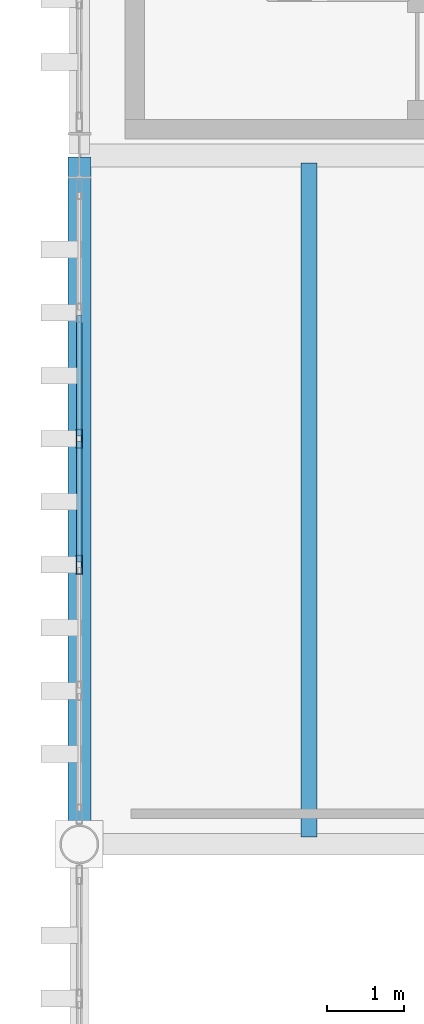
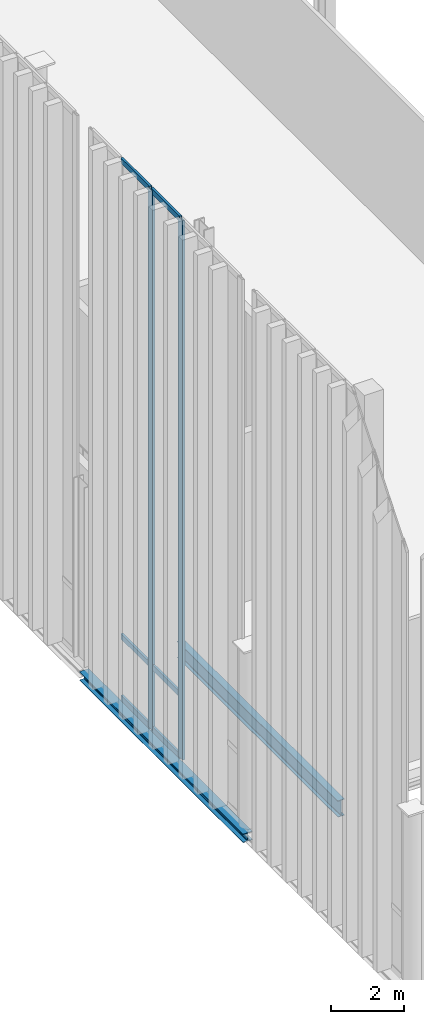
# One storey, part 30 of 237: 8 members, 2 beams, 1 element without a shape of its own.
"""IFC4 building model written with IfcOpenShell, lengths in metres."""

from ifc_helpers import new_model, si_unit, direction, frame, origin, origin_2d, place, context, subcontext, project, spatial, hollow_rectangle, i_section, extrude, material, layer, layer_set, material_profile, profile_set, type_object, element, aggregate, save


model = new_model("IFC4")

# Units and contexts
model_context = context("Model", 3, precision=1e-05, world=origin(), true_north=direction((0.0, 1.0)))
body_context = subcontext(model_context, "Body", "Model", "MODEL_VIEW")
ifc_project = project(units=[si_unit("LENGTHUNIT", "METRE"), si_unit("AREAUNIT", "SQUARE_METRE"), si_unit("VOLUMEUNIT", "CUBIC_METRE"), si_unit("PLANEANGLEUNIT", "RADIAN"), si_unit("MASSUNIT", "GRAM", prefix="KILO")], contexts=[model_context])

# Site, building, storey
site_placement = place(None, origin())
site = spatial("IfcSite", under=ifc_project, at=site_placement, CompositionType="ELEMENT")
building_placement = place(site_placement, origin())
building = spatial("IfcBuilding", under=site, at=building_placement, Name="Barlavento Convention Centre", CompositionType="ELEMENT")
storey_placement = place(building_placement, frame((0.0, 0.0, 12.0)))
storey = spatial("IfcBuildingStorey", under=building, at=storey_placement, Name="L02", CompositionType="ELEMENT", Elevation=12.0)

# Curtain wall, members
ifc_material_1 = material(Name="Powder-coated aluminium and Low-E glass", Category="aluminium")
ifc_layer = layer(ifc_material_1, 0.18994140625)
ifc_layer_set = layer_set([ifc_layer], Name="ARC-CW-CONG-L02")
curtain_wall_type = type_object("IfcCurtainWallType", Name="ARC-CW-CONG-L02", PredefinedType="NOTDEFINED", material=ifc_layer_set)
curtain_wall_placement = place(storey_placement, origin())
curtain_wall = element("IfcCurtainWall", 1, at=curtain_wall_placement, inside=storey, type_object=curtain_wall_type, Name="L02 unitised curtain wall CW02", PredefinedType="NOTDEFINED")
ifc_material_2 = material(Name="Powder-coated aluminium", Category="aluminium")
ifc_material_profile_1 = material_profile(ifc_material_2, hollow_rectangle(XDim=0.074951171875, YDim=0.25, WallThickness=0.006103515625, at=origin_2d()), Name="AL-MULL 75x250x6")
ifc_profile_set_1 = profile_set([ifc_material_profile_1], Name="Powder-coated aluminium")
member_type_1 = type_object("IfcMemberType", Name="ARC-CWM-75X250", PredefinedType="MULLION", material=ifc_profile_set_1)
member_1_placement = place(storey_placement, frame((0.0, 12.6533203125, 0.0), z_axis=(0.0, 0.0, 1.0), x_axis=(-1.0, 0.0, 0.0)))
member_1 = element("IfcMember", 2, at=member_1_placement, type_object=member_type_1, Name="CW02 mullion 3", PredefinedType="MULLION", context=body_context, shape_type="SweptSolid", body=[
    extrude(hollow_rectangle(XDim=0.074951171875, YDim=0.25, WallThickness=0.006103515625, at=origin_2d()), origin(), (0.0, 0.0, 1.0), 18.037109375),
])
member_2_placement = place(storey_placement, frame((0.0, 14.300537109375, 0.0), z_axis=(0.0, 0.0, 1.0), x_axis=(-1.0, 0.0, 0.0)))
member_2 = element("IfcMember", 3, at=member_2_placement, type_object=member_type_1, Name="CW02 mullion 4", PredefinedType="MULLION", context=body_context, shape_type="SweptSolid", body=[
    extrude(hollow_rectangle(XDim=0.074951171875, YDim=0.25, WallThickness=0.006103515625, at=origin_2d()), origin(), (0.0, 0.0, 1.0), 18.037109375),
])
ifc_material_profile_2 = material_profile(ifc_material_2, hollow_rectangle(XDim=0.070068359375, YDim=0.179931640625, WallThickness=0.0048828125, at=origin_2d()), Name="AL-TRAN 70x180x5")
ifc_profile_set_2 = profile_set([ifc_material_profile_2], Name="Powder-coated aluminium")
member_type_2 = type_object("IfcMemberType", Name="ARC-CWT-70X180", PredefinedType="USERDEFINED", material=ifc_profile_set_2)
member_3_placement = place(storey_placement, frame((0.0, 12.69091796875, 0.034912109375), z_axis=(0.0, 1.0, 0.0), x_axis=(-1.0, 0.0, 0.0)))
member_3 = element("IfcMember", 4, at=member_3_placement, type_object=member_type_2, Name="CW02 transom 3.1", ObjectType="TRANSOM", PredefinedType="USERDEFINED", context=body_context, shape_type="SweptSolid", body=[
    extrude(hollow_rectangle(XDim=0.070068359375, YDim=0.179931640625, WallThickness=0.0048828125, at=origin_2d()), origin(), (0.0, 0.0, 1.0), 1.572265625),
])
member_4_placement = place(storey_placement, frame((0.0, 12.69091796875, 2.10009765625), z_axis=(0.0, 1.0, 0.0), x_axis=(-1.0, 0.0, 0.0)))
member_4 = element("IfcMember", 5, at=member_4_placement, type_object=member_type_2, Name="CW02 transom 3.2", ObjectType="TRANSOM", PredefinedType="USERDEFINED", context=body_context, shape_type="SweptSolid", body=[
    extrude(hollow_rectangle(XDim=0.070068359375, YDim=0.179931640625, WallThickness=0.0048828125, at=origin_2d()), origin(), (0.0, 0.0, 1.0), 1.572265625),
])
member_5_placement = place(storey_placement, frame((0.0, 12.69091796875, 18.001953125), z_axis=(0.0, 1.0, 0.0), x_axis=(-1.0, 0.0, 0.0)))
member_5 = element("IfcMember", 6, at=member_5_placement, type_object=member_type_2, Name="CW02 transom 3.3", ObjectType="TRANSOM", PredefinedType="USERDEFINED", context=body_context, shape_type="SweptSolid", body=[
    extrude(hollow_rectangle(XDim=0.070068359375, YDim=0.179931640625, WallThickness=0.0048828125, at=origin_2d()), origin(), (0.0, 0.0, 1.0), 1.572265625),
])
member_6_placement = place(storey_placement, frame((0.0, 14.338134765625, 0.034912109375), z_axis=(0.0, 1.0, 0.0), x_axis=(-1.0, 0.0, 0.0)))
member_6 = element("IfcMember", 7, at=member_6_placement, type_object=member_type_2, Name="CW02 transom 4.1", ObjectType="TRANSOM", PredefinedType="USERDEFINED", context=body_context, shape_type="SweptSolid", body=[
    extrude(hollow_rectangle(XDim=0.070068359375, YDim=0.179931640625, WallThickness=0.0048828125, at=origin_2d()), origin(), (0.0, 0.0, 1.0), 1.572265625),
])
member_7_placement = place(storey_placement, frame((0.0, 14.338134765625, 2.10009765625), z_axis=(0.0, 1.0, 0.0), x_axis=(-1.0, 0.0, 0.0)))
member_7 = element("IfcMember", 8, at=member_7_placement, type_object=member_type_2, Name="CW02 transom 4.2", ObjectType="TRANSOM", PredefinedType="USERDEFINED", context=body_context, shape_type="SweptSolid", body=[
    extrude(hollow_rectangle(XDim=0.070068359375, YDim=0.179931640625, WallThickness=0.0048828125, at=origin_2d()), origin(), (0.0, 0.0, 1.0), 1.572265625),
])
member_8_placement = place(storey_placement, frame((0.0, 14.338134765625, 18.001953125), z_axis=(0.0, 1.0, 0.0), x_axis=(-1.0, 0.0, 0.0)))
member_8 = element("IfcMember", 9, at=member_8_placement, type_object=member_type_2, Name="CW02 transom 4.3", ObjectType="TRANSOM", PredefinedType="USERDEFINED", context=body_context, shape_type="SweptSolid", body=[
    extrude(hollow_rectangle(XDim=0.070068359375, YDim=0.179931640625, WallThickness=0.0048828125, at=origin_2d()), origin(), (0.0, 0.0, 1.0), 1.572265625),
])
aggregate(curtain_wall, [member_1, member_2, member_3, member_4, member_5, member_6, member_7, member_8])

# Beams
ifc_material_3 = material(Name="Steel S355", Category="steel")
ifc_material_profile_3 = material_profile(ifc_material_3, i_section(OverallWidth=0.2099609375, OverallDepth=0.550048828125, WebThickness=0.010986328125, FlangeThickness=0.01708984375, FilletRadius=0.02392578125, at=origin_2d()), Name="IPE 550")
ifc_profile_set_3 = profile_set([ifc_material_profile_3], Name="Steel S355")
beam_type_1 = type_object("IfcBeamType", Name="STR-BM-JST-IPE550", PredefinedType="JOIST", material=ifc_profile_set_3)
beam_1_placement = place(storey_placement, frame((3.0, 9.094970703125, -0.574951171875), z_axis=(0.0, 1.0, 0.0), x_axis=(-1.0, 0.0, 0.0)))
element("IfcBeam", 10, at=beam_1_placement, inside=storey, type_object=beam_type_1, Name="L02 composite floor joist SJ01", PredefinedType="JOIST", context=body_context, shape_type="SweptSolid", body=[
    extrude(i_section(OverallWidth=0.2099609375, OverallDepth=0.550048828125, WebThickness=0.010986328125, FlangeThickness=0.01708984375, FilletRadius=0.02392578125, at=origin_2d()), origin(), (0.0, 0.0, 1.0), 8.81005859375),
])
ifc_material_profile_4 = material_profile(ifc_material_3, i_section(OverallWidth=0.300048828125, OverallDepth=0.2900390625, WebThickness=0.008544921875, FlangeThickness=0.013916015625, FilletRadius=0.027099609375, at=origin_2d()), Name="HEA 300")
ifc_profile_set_4 = profile_set([ifc_material_profile_4], Name="Steel S355")
beam_type_2 = type_object("IfcBeamType", Name="STR-BM-SPN-HEA300", PredefinedType="SPANDREL", material=ifc_profile_set_4)
beam_2_placement = place(storey_placement, frame((0.0, 9.02001953125, -0.445068359375), z_axis=(0.0, 1.0, 0.0), x_axis=(-1.0, 0.0, 0.0)))
element("IfcBeam", 11, at=beam_2_placement, inside=storey, type_object=beam_type_2, Name="L02 grid girder SP02", PredefinedType="SPANDREL", context=body_context, shape_type="SweptSolid", body=[
    extrude(i_section(OverallWidth=0.300048828125, OverallDepth=0.2900390625, WebThickness=0.008544921875, FlangeThickness=0.013916015625, FilletRadius=0.027099609375, at=origin_2d()), origin(), (0.0, 0.0, 1.0), 8.9599609375),
])

save(model, "model.ifc")
